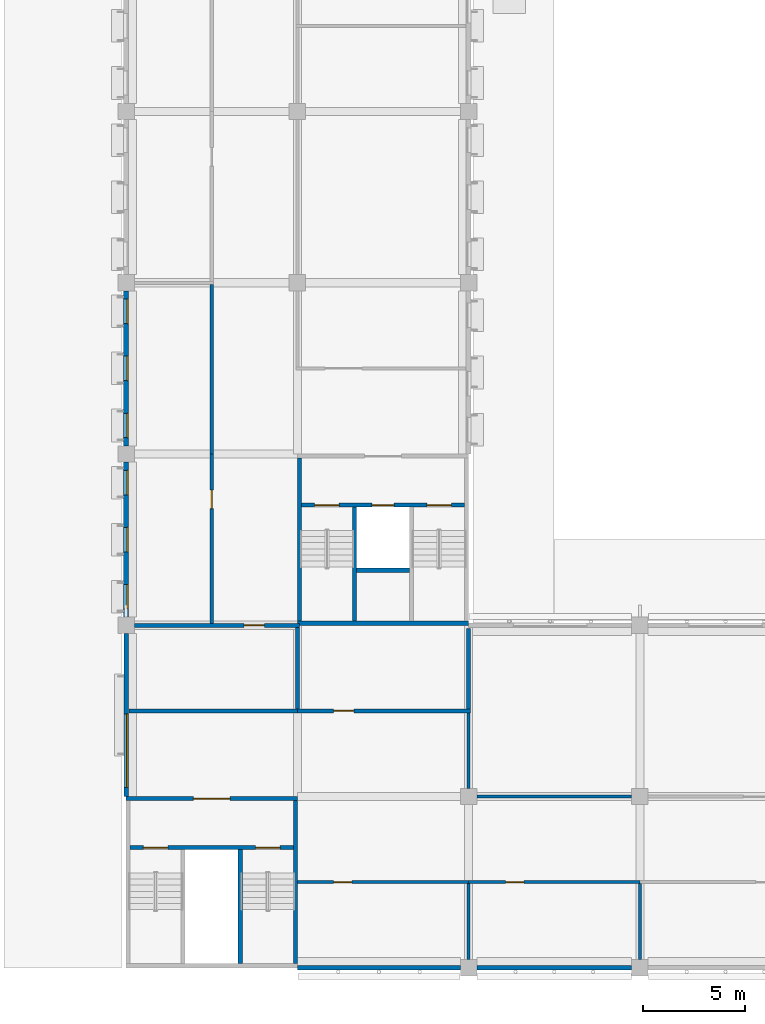
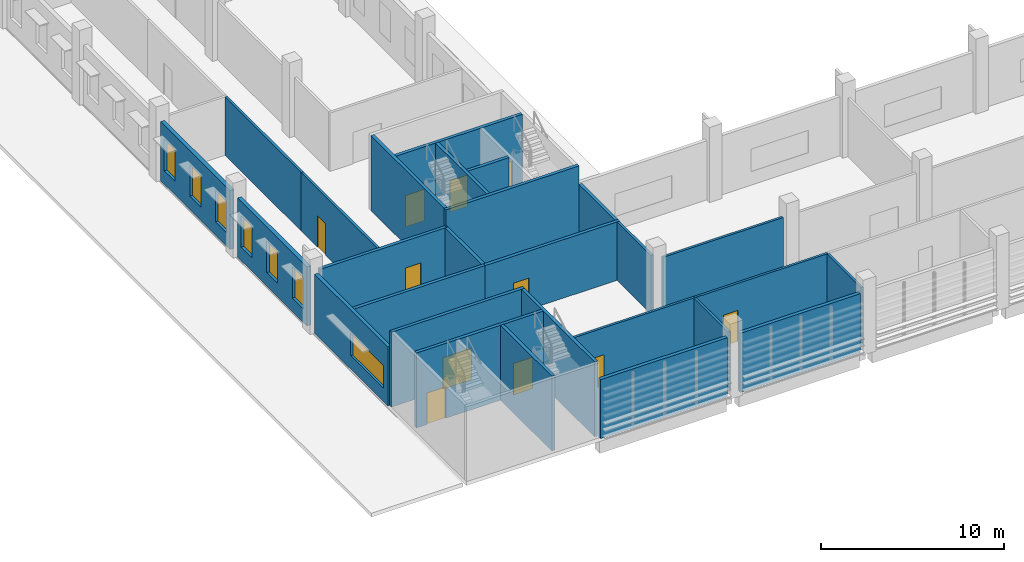
# One storey, part 28 of 101: 27 walls, 11 doors, 7 windows, 18 openings.
"""IFC4 building model written with IfcOpenShell, lengths in metres."""

from ifc_helpers import new_model, si_unit, direction, frame, frame_2d, origin, place, context, subcontext, project, spatial, rectangle, extrude, material, layer, layer_set, type_object, element, fill, save


model = new_model("IFC4")

# Units and contexts
model_context = context("Model", 3, precision=1e-05, world=origin(), true_north=direction((0.0, 1.0)))
body_context = subcontext(model_context, "Body", "Model", "MODEL_VIEW")
ifc_project = project(units=[si_unit("LENGTHUNIT", "METRE"), si_unit("AREAUNIT", "SQUARE_METRE"), si_unit("VOLUMEUNIT", "CUBIC_METRE"), si_unit("PLANEANGLEUNIT", "RADIAN"), si_unit("MASSUNIT", "GRAM", prefix="KILO")], contexts=[model_context])

# Site, building, storey
site_placement = place(None, origin())
site = spatial("IfcSite", under=ifc_project, at=site_placement, CompositionType="ELEMENT")
building_placement = place(site_placement, origin())
building = spatial("IfcBuilding", under=site, at=building_placement, Name="Almond Square Museum", CompositionType="ELEMENT")
storey_placement = place(building_placement, frame((0.0, 0.0, 5.5)))
storey = spatial("IfcBuildingStorey", under=building, at=storey_placement, Name="L01", CompositionType="ELEMENT", Elevation=5.5)

# Wall, opening, door
ifc_material_1 = material(Name="Concrete blockwork 200", Category="masonry")
ifc_layer_1 = layer(ifc_material_1, 0.199951171875)
ifc_layer_set_1 = layer_set([ifc_layer_1], Name="Concrete blockwork 200")
wall_type_1 = type_object("IfcWallType", Name="Fire partition 200 blockwork", PredefinedType="PARTITIONING", material=ifc_layer_set_1)
wall_1_placement = place(storey_placement, frame((6.39990234375, 16.800048828125, 0.0), z_axis=(0.0, 0.0, 1.0), x_axis=(1.0, 0.0, 0.0)))
wall_1 = element("IfcWall", 1, at=wall_1_placement, inside=storey, type_object=wall_type_1, Name="L01 partition 65", PredefinedType="PARTITIONING", context=body_context, shape_type="SweptSolid", body=[
    extrude(rectangle(XDim=8.10009765625, YDim=0.199951171875, at=frame_2d((4.050048828125, 0.0))), origin(), (0.0, 0.0, 1.0), 3.89990234375),
])
opening_1_placement = place(wall_1_placement, frame((5.387451171875, 0.0, 0.0)))
opening_1 = element("IfcOpeningElement", 2, at=opening_1_placement, cuts=wall_1, Name="Opening D1124", PredefinedType="OPENING", context=body_context, shape_type="SweptSolid", body=[
    extrude(rectangle(XDim=1.0, YDim=2.10009765625, at=frame_2d((0.5, 1.050048828125))), frame((0.0, 0.10986328125, 0.0), z_axis=(0.0, -1.0, 0.0), x_axis=(1.0, 0.0, 0.0)), (0.0, 0.0, 1.0), 0.219970703125),
])
ifc_material_2 = material(Name="Steel", Category="steel")
door_type_1 = type_object("IfcDoorType", Name="Fire door 1000 x 2100 FD60 single", OperationType="NOTDEFINED", PredefinedType="DOOR", material=ifc_material_2)
door_1_placement = place(opening_1_placement, origin())
door_1 = element("IfcDoor", 3, at=door_1_placement, inside=storey, type_object=door_type_1, Name="L01 door Cleaners' Store 3 to Wing Corridor 3", OperationType="SINGLE_SWING_LEFT", OverallHeight=2.10009765625, OverallWidth=1.0, PredefinedType="DOOR", context=body_context, shape_type="SweptSolid", body=[
    extrude(rectangle(XDim=1.0, YDim=2.10009765625, at=frame_2d((0.5, 1.050048828125))), frame((0.0, 0.02490234375, 0.0), z_axis=(0.0, -1.0, 0.0), x_axis=(1.0, 0.0, 0.0)), (0.0, 0.0, 1.0), 0.050048828125),
])
fill(opening_1, door_1)

# Walls
wall_2_placement = place(storey_placement, frame((14.39990234375, 12.699951171875, 0.0), z_axis=(0.0, 0.0, 1.0), x_axis=(0.0, 1.0, 0.0)))
element("IfcWall", 4, at=wall_2_placement, inside=storey, type_object=wall_type_1, Name="L01 partition 71", PredefinedType="PARTITIONING", context=body_context, shape_type="SweptSolid", body=[
    extrude(rectangle(XDim=4.0, YDim=0.199951171875, at=frame_2d((2.0, 0.0))), origin(), (0.0, 0.0, 1.0), 3.89990234375),
])
wall_3_placement = place(storey_placement, frame((22.800048828125, 12.699951171875, 0.0), z_axis=(0.0, 0.0, 1.0), x_axis=(0.0, 1.0, 0.0)))
element("IfcWall", 5, at=wall_3_placement, inside=storey, type_object=wall_type_1, Name="L01 partition 72", PredefinedType="PARTITIONING", context=body_context, shape_type="SweptSolid", body=[
    extrude(rectangle(XDim=3.949951171875, YDim=0.199951171875, at=frame_2d((1.97509765625, 0.0))), origin(), (0.0, 0.0, 1.0), 3.89990234375),
])
wall_4_placement = place(storey_placement, frame((6.14990234375, 12.60009765625, 0.0), z_axis=(0.0, 0.0, 1.0), x_axis=(1.0, 0.0, 0.0)))
element("IfcWall", 6, at=wall_4_placement, inside=storey, type_object=wall_type_1, Name="L01 partition 78", PredefinedType="PARTITIONING", context=body_context, shape_type="SweptSolid", body=[
    extrude(rectangle(XDim=8.25, YDim=0.199951171875, at=frame_2d((4.125, 0.0))), origin(), (0.0, 0.0, 1.0), 3.89990234375),
])

# Wall, opening, door
wall_5_placement = place(storey_placement, frame((14.39990234375, 12.60009765625, 0.0), z_axis=(0.0, 0.0, 1.0), x_axis=(1.0, 0.0, 0.0)))
wall_5 = element("IfcWall", 7, at=wall_5_placement, inside=storey, type_object=wall_type_1, Name="L01 partition 79", PredefinedType="PARTITIONING", context=body_context, shape_type="SweptSolid", body=[
    extrude(rectangle(XDim=8.5, YDim=0.199951171875, at=frame_2d((4.25, 0.0))), origin(), (0.0, 0.0, 1.0), 3.89990234375),
])
opening_2_placement = place(wall_5_placement, frame((1.77490234375, 0.0, 0.0)))
opening_2 = element("IfcOpeningElement", 8, at=opening_2_placement, cuts=wall_5, Name="Opening D1122", PredefinedType="OPENING", context=body_context, shape_type="SweptSolid", body=[
    extrude(rectangle(XDim=1.0, YDim=2.10009765625, at=frame_2d((0.5, 1.050048828125))), frame((0.0, 0.10986328125, 0.0), z_axis=(0.0, -1.0, 0.0), x_axis=(1.0, 0.0, 0.0)), (0.0, 0.0, 1.0), 0.219970703125),
])
door_2_placement = place(opening_2_placement, origin())
door_2 = element("IfcDoor", 9, at=door_2_placement, inside=storey, type_object=door_type_1, Name="L01 door Chemical Store to Service Corridor 2", OperationType="SINGLE_SWING_LEFT", OverallHeight=2.10009765625, OverallWidth=1.0, PredefinedType="DOOR", context=body_context, shape_type="SweptSolid", body=[
    extrude(rectangle(XDim=1.0, YDim=2.10009765625, at=frame_2d((0.5, 1.050048828125))), frame((0.0, 0.02490234375, 0.0), z_axis=(0.0, -1.0, 0.0), x_axis=(1.0, 0.0, 0.0)), (0.0, 0.0, 1.0), 0.050048828125),
])
fill(opening_2, door_2)

ifc_material_3 = material(Name="Plasterboard on steel stud", Category="steel")
ifc_layer_2 = layer(ifc_material_3, 0.14990234375)
ifc_layer_set_2 = layer_set([ifc_layer_2], Name="Plasterboard on steel stud")
wall_type_2 = type_object("IfcWallType", Name="Partition 150 plasterboard on steel stud", PredefinedType="PARTITIONING", material=ifc_layer_set_2)
wall_6_placement = place(storey_placement, frame((10.199951171875, 16.89990234375, 0.0), z_axis=(0.0, 0.0, 1.0), x_axis=(0.0, 1.0, 0.0)))
wall_6 = element("IfcWall", 10, at=wall_6_placement, inside=storey, type_object=wall_type_2, Name="L01 partition 60", PredefinedType="PARTITIONING", context=body_context, shape_type="SweptSolid", body=[
    extrude(rectangle(XDim=8.300048828125, YDim=0.14990234375, at=frame_2d((4.14990234375, 0.0))), origin(), (0.0, 0.0, 1.0), 3.89990234375),
])
opening_3_placement = place(wall_6_placement, frame((5.625, 0.0, 0.0)))
opening_3 = element("IfcOpeningElement", 11, at=opening_3_placement, cuts=wall_6, Name="Opening D1120", PredefinedType="OPENING", context=body_context, shape_type="SweptSolid", body=[
    extrude(rectangle(XDim=0.89990234375, YDim=2.10009765625, at=frame_2d((0.449951171875, 1.050048828125))), frame((0.0, 0.0849609375, 0.0), z_axis=(0.0, -1.0, 0.0), x_axis=(1.0, 0.0, 0.0)), (0.0, 0.0, 1.0), 0.169921875),
])
ifc_material_4 = material(Name="Timber", Category="wood")
door_type_2 = type_object("IfcDoorType", Name="Door 900 x 2100 timber single", OperationType="NOTDEFINED", PredefinedType="DOOR", material=ifc_material_4)
door_3_placement = place(opening_3_placement, origin())
door_3 = element("IfcDoor", 12, at=door_3_placement, inside=storey, type_object=door_type_2, Name="L01 door Staff Office 1 to Wing Corridor 3", OperationType="SINGLE_SWING_LEFT", OverallHeight=2.10009765625, OverallWidth=0.89990234375, PredefinedType="DOOR", context=body_context, shape_type="SweptSolid", body=[
    extrude(rectangle(XDim=0.89990234375, YDim=2.10009765625, at=frame_2d((0.449951171875, 1.050048828125))), frame((0.0, 0.02490234375, 0.0), z_axis=(0.0, -1.0, 0.0), x_axis=(1.0, 0.0, 0.0)), (0.0, 0.0, 1.0), 0.050048828125),
])
fill(opening_3, door_3)

# Walls
wall_7_placement = place(storey_placement, frame((10.199951171875, 25.199951171875, 0.0), z_axis=(0.0, 0.0, 1.0), x_axis=(0.0, 1.0, 0.0)))
element("IfcWall", 13, at=wall_7_placement, inside=storey, type_object=wall_type_2, Name="L01 partition 61", PredefinedType="PARTITIONING", context=body_context, shape_type="SweptSolid", body=[
    extrude(rectangle(XDim=8.324951171875, YDim=0.14990234375, at=frame_2d((4.16259765625, 0.0))), origin(), (0.0, 0.0, 1.0), 3.89990234375),
])
wall_8_placement = place(storey_placement, frame((23.199951171875, 8.39990234375, 0.0), z_axis=(0.0, 0.0, 1.0), x_axis=(1.0, 0.0, 0.0)))
element("IfcWall", 14, at=wall_8_placement, inside=storey, type_object=wall_type_2, Name="L01 partition 81", PredefinedType="PARTITIONING", context=body_context, shape_type="SweptSolid", body=[
    extrude(rectangle(XDim=7.60009765625, YDim=0.14990234375, at=frame_2d((3.800048828125, 0.0))), origin(), (0.0, 0.0, 1.0), 3.89990234375),
])
wall_9_placement = place(storey_placement, frame((22.800048828125, 8.800048828125, 0.0), z_axis=(0.0, 0.0, 1.0), x_axis=(0.0, 1.0, 0.0)))
element("IfcWall", 15, at=wall_9_placement, inside=storey, type_object=wall_type_2, Name="L01 partition 85", PredefinedType="PARTITIONING", context=body_context, shape_type="SweptSolid", body=[
    extrude(rectangle(XDim=3.699951171875, YDim=0.14990234375, at=frame_2d((1.85009765625, 0.0))), origin(), (0.0, 0.0, 1.0), 3.89990234375),
])

# Wall, opening, door
wall_10_placement = place(storey_placement, frame((14.39990234375, 4.199951171875, 0.0), z_axis=(0.0, 0.0, 1.0), x_axis=(1.0, 0.0, 0.0)))
wall_10 = element("IfcWall", 16, at=wall_10_placement, inside=storey, type_object=wall_type_2, Name="L01 partition 101", PredefinedType="PARTITIONING", context=body_context, shape_type="SweptSolid", body=[
    extrude(rectangle(XDim=8.400146484375, YDim=0.14990234375, at=frame_2d((4.2001953125, 0.0))), origin(), (0.0, 0.0, 1.0), 3.89990234375),
])
opening_4_placement = place(wall_10_placement, frame((1.77490234375, 0.0, 0.0)))
opening_4 = element("IfcOpeningElement", 17, at=opening_4_placement, cuts=wall_10, Name="Opening D1131", PredefinedType="OPENING", context=body_context, shape_type="SweptSolid", body=[
    extrude(rectangle(XDim=0.89990234375, YDim=2.10009765625, at=frame_2d((0.449951171875, 1.050048828125))), frame((0.0, 0.0849609375, 0.0), z_axis=(0.0, -1.0, 0.0), x_axis=(1.0, 0.0, 0.0)), (0.0, 0.0, 1.0), 0.169921875),
])
door_4_placement = place(opening_4_placement, origin())
door_4 = element("IfcDoor", 18, at=door_4_placement, inside=storey, type_object=door_type_2, Name="L01 door Staff Office 3 to Service Corridor 2", OperationType="SINGLE_SWING_LEFT", OverallHeight=2.10009765625, OverallWidth=0.89990234375, PredefinedType="DOOR", context=body_context, shape_type="SweptSolid", body=[
    extrude(rectangle(XDim=0.89990234375, YDim=2.10009765625, at=frame_2d((0.449951171875, 1.050048828125))), frame((0.0, 0.02490234375, 0.0), z_axis=(0.0, -1.0, 0.0), x_axis=(1.0, 0.0, 0.0)), (0.0, 0.0, 1.0), 0.050048828125),
])
fill(opening_4, door_4)

wall_11_placement = place(storey_placement, frame((22.800048828125, 4.199951171875, 0.0), z_axis=(0.0, 0.0, 1.0), x_axis=(1.0, 0.0, 0.0)))
wall_11 = element("IfcWall", 19, at=wall_11_placement, inside=storey, type_object=wall_type_2, Name="L01 partition 102", PredefinedType="PARTITIONING", context=body_context, shape_type="SweptSolid", body=[
    extrude(rectangle(XDim=8.39990234375, YDim=0.14990234375, at=frame_2d((4.199951171875, 0.0))), origin(), (0.0, 0.0, 1.0), 3.89990234375),
])
opening_5_placement = place(wall_11_placement, frame((1.8125, 0.0, 0.0)))
opening_5 = element("IfcOpeningElement", 20, at=opening_5_placement, cuts=wall_11, Name="Opening D1132", PredefinedType="OPENING", context=body_context, shape_type="SweptSolid", body=[
    extrude(rectangle(XDim=0.89990234375, YDim=2.10009765625, at=frame_2d((0.449951171875, 1.050048828125))), frame((0.0, 0.0849609375, 0.0), z_axis=(0.0, -1.0, 0.0), x_axis=(1.0, 0.0, 0.0)), (0.0, 0.0, 1.0), 0.169921875),
])
door_5_placement = place(opening_5_placement, origin())
door_5 = element("IfcDoor", 21, at=door_5_placement, inside=storey, type_object=door_type_2, Name="L01 door Staff Office 4 to Service Corridor 2", OperationType="SINGLE_SWING_LEFT", OverallHeight=2.10009765625, OverallWidth=0.89990234375, PredefinedType="DOOR", context=body_context, shape_type="SweptSolid", body=[
    extrude(rectangle(XDim=0.89990234375, YDim=2.10009765625, at=frame_2d((0.449951171875, 1.050048828125))), frame((0.0, 0.02490234375, 0.0), z_axis=(0.0, -1.0, 0.0), x_axis=(1.0, 0.0, 0.0)), (0.0, 0.0, 1.0), 0.050048828125),
])
fill(opening_5, door_5)

# Walls
for number, where, z_axis, x_axis, name in (
    (22, (31.199951171875, 0.39990234375, 0.0), (0.0, 0.0, 1.0), (0.0, 1.0, 0.0), "L01 partition 110"),
    (23, (22.800048828125, 0.39990234375, 0.0), (0.0, 0.0, 1.0), (0.0, 1.0, 0.0), "L01 partition 114"),
):
    element("IfcWall", number, at=place(storey_placement, frame(where, z_axis=z_axis, x_axis=x_axis)), inside=storey, type_object=wall_type_2, Name=name, PredefinedType="PARTITIONING", context=body_context, shape_type="SweptSolid", body=[
        extrude(rectangle(XDim=3.72509765625, YDim=0.14990234375, at=frame_2d((1.862548828125, 0.0))), origin(), (0.0, 0.0, 1.0), 3.89990234375),
    ])

# Wall, openings, windows
ifc_material_5 = material(Name="Precast concrete C40/50", Category="concrete")
ifc_layer_3 = layer(ifc_material_5, 0.25)
ifc_layer_set_3 = layer_set([ifc_layer_3], Name="Precast concrete C40/50")
wall_type_3 = type_object("IfcWallType", Name="Precast concrete panel wall 250 with coral limestone piers", PredefinedType="SOLIDWALL", material=ifc_layer_set_3)
wall_12_placement = place(storey_placement, frame((6.0, 25.60009765625, 0.0), z_axis=(0.0, 0.0, 1.0), x_axis=(0.0, 1.0, 0.0)))
wall_12 = element("IfcWall", 24, at=wall_12_placement, inside=storey, type_object=wall_type_3, Name="External wall W2 V4W L01 W06", PredefinedType="SOLIDWALL", context=body_context, shape_type="SweptSolid", body=[
    extrude(rectangle(XDim=7.599853515625, YDim=0.25, at=frame_2d((3.7998046875, 0.0))), origin(), (0.0, 0.0, 1.0), 3.93994140625),
])
opening_6_placement = place(wall_12_placement, frame((0.39990234375, 0.0, 0.89990234375)))
opening_6 = element("IfcOpeningElement", 25, at=opening_6_placement, cuts=wall_12, Name="Opening W1053", PredefinedType="OPENING", context=body_context, shape_type="SweptSolid", body=[
    extrude(rectangle(XDim=1.199951171875, YDim=2.10009765625, at=frame_2d((0.60009765625, 1.050048828125))), frame((0.0, 0.135009765625, 0.0), z_axis=(0.0, -1.0, 0.0), x_axis=(1.0, 0.0, 0.0)), (0.0, 0.0, 1.0), 0.27001953125),
])
opening_7_placement = place(wall_12_placement, frame((3.199951171875, 0.0, 0.89990234375)))
opening_7 = element("IfcOpeningElement", 26, at=opening_7_placement, cuts=wall_12, Name="Opening W1054", PredefinedType="OPENING", context=body_context, shape_type="SweptSolid", body=[
    extrude(rectangle(XDim=1.199951171875, YDim=2.10009765625, at=frame_2d((0.60009765625, 1.050048828125))), frame((0.0, 0.135009765625, 0.0), z_axis=(0.0, -1.0, 0.0), x_axis=(1.0, 0.0, 0.0)), (0.0, 0.0, 1.0), 0.27001953125),
])
opening_8_placement = place(wall_12_placement, frame((6.0, 0.0, 0.89990234375)))
opening_8 = element("IfcOpeningElement", 27, at=opening_8_placement, cuts=wall_12, Name="Opening W1055", PredefinedType="OPENING", context=body_context, shape_type="SweptSolid", body=[
    extrude(rectangle(XDim=1.199951171875, YDim=2.10009765625, at=frame_2d((0.60009765625, 1.050048828125))), frame((0.0, 0.135009765625, 0.0), z_axis=(0.0, -1.0, 0.0), x_axis=(1.0, 0.0, 0.0)), (0.0, 0.0, 1.0), 0.27001953125),
])
ifc_material_6 = material(Name="Anodised aluminium louvre and laminated glass", Category="aluminium")
window_type_1 = type_object("IfcWindowType", Name="Louvred pier window", PartitioningType="SINGLE_PANEL", PredefinedType="WINDOW", material=ifc_material_6)
window_1_placement = place(opening_6_placement, origin())
window_1 = element("IfcWindow", 28, at=window_1_placement, inside=storey, type_object=window_type_1, Name="Louvred pier window W1053", OverallHeight=2.10009765625, OverallWidth=1.199951171875, PartitioningType="SINGLE_PANEL", PredefinedType="WINDOW", context=body_context, shape_type="SweptSolid", body=[
    extrude(rectangle(XDim=1.199951171875, YDim=2.10009765625, at=frame_2d((0.60009765625, 1.050048828125))), frame((0.0, -0.044921875, 0.0), z_axis=(0.0, -1.0, 0.0), x_axis=(1.0, 0.0, 0.0)), (0.0, 0.0, 1.0), 0.06005859375),
])
fill(opening_6, window_1)
window_2_placement = place(opening_7_placement, origin())
window_2 = element("IfcWindow", 29, at=window_2_placement, inside=storey, type_object=window_type_1, Name="Louvred pier window W1054", OverallHeight=2.10009765625, OverallWidth=1.199951171875, PartitioningType="SINGLE_PANEL", PredefinedType="WINDOW", context=body_context, shape_type="SweptSolid", body=[
    extrude(rectangle(XDim=1.199951171875, YDim=2.10009765625, at=frame_2d((0.60009765625, 1.050048828125))), frame((0.0, -0.044921875, 0.0), z_axis=(0.0, -1.0, 0.0), x_axis=(1.0, 0.0, 0.0)), (0.0, 0.0, 1.0), 0.06005859375),
])
fill(opening_7, window_2)
window_3_placement = place(opening_8_placement, origin())
window_3 = element("IfcWindow", 30, at=window_3_placement, inside=storey, type_object=window_type_1, Name="Louvred pier window W1055", OverallHeight=2.10009765625, OverallWidth=1.199951171875, PartitioningType="SINGLE_PANEL", PredefinedType="WINDOW", context=body_context, shape_type="SweptSolid", body=[
    extrude(rectangle(XDim=1.199951171875, YDim=2.10009765625, at=frame_2d((0.60009765625, 1.050048828125))), frame((0.0, -0.044921875, 0.0), z_axis=(0.0, -1.0, 0.0), x_axis=(1.0, 0.0, 0.0)), (0.0, 0.0, 1.0), 0.06005859375),
])
fill(opening_8, window_3)

wall_13_placement = place(storey_placement, frame((6.0, 17.199951171875, 0.0), z_axis=(0.0, 0.0, 1.0), x_axis=(0.0, 1.0, 0.0)))
wall_13 = element("IfcWall", 31, at=wall_13_placement, inside=storey, type_object=wall_type_3, Name="External wall W2 V4W L01 W07", PredefinedType="SOLIDWALL", context=body_context, shape_type="SweptSolid", body=[
    extrude(rectangle(XDim=7.60009765625, YDim=0.25, at=frame_2d((3.800048828125, 0.0))), origin(), (0.0, 0.0, 1.0), 3.93994140625),
])
opening_9_placement = place(wall_13_placement, frame((0.39990234375, 0.0, 0.89990234375)))
opening_9 = element("IfcOpeningElement", 32, at=opening_9_placement, cuts=wall_13, Name="Opening W1056", PredefinedType="OPENING", context=body_context, shape_type="SweptSolid", body=[
    extrude(rectangle(XDim=1.199951171875, YDim=2.10009765625, at=frame_2d((0.60009765625, 1.050048828125))), frame((0.0, 0.135009765625, 0.0), z_axis=(0.0, -1.0, 0.0), x_axis=(1.0, 0.0, 0.0)), (0.0, 0.0, 1.0), 0.27001953125),
])
opening_10_placement = place(wall_13_placement, frame((3.199951171875, 0.0, 0.89990234375)))
opening_10 = element("IfcOpeningElement", 33, at=opening_10_placement, cuts=wall_13, Name="Opening W1057", PredefinedType="OPENING", context=body_context, shape_type="SweptSolid", body=[
    extrude(rectangle(XDim=1.199951171875, YDim=2.10009765625, at=frame_2d((0.60009765625, 1.050048828125))), frame((0.0, 0.135009765625, 0.0), z_axis=(0.0, -1.0, 0.0), x_axis=(1.0, 0.0, 0.0)), (0.0, 0.0, 1.0), 0.27001953125),
])
opening_11_placement = place(wall_13_placement, frame((6.0, 0.0, 0.89990234375)))
opening_11 = element("IfcOpeningElement", 34, at=opening_11_placement, cuts=wall_13, Name="Opening W1058", PredefinedType="OPENING", context=body_context, shape_type="SweptSolid", body=[
    extrude(rectangle(XDim=1.199951171875, YDim=2.10009765625, at=frame_2d((0.60009765625, 1.050048828125))), frame((0.0, 0.135009765625, 0.0), z_axis=(0.0, -1.0, 0.0), x_axis=(1.0, 0.0, 0.0)), (0.0, 0.0, 1.0), 0.27001953125),
])
window_4_placement = place(opening_9_placement, origin())
window_4 = element("IfcWindow", 35, at=window_4_placement, inside=storey, type_object=window_type_1, Name="Louvred pier window W1056", OverallHeight=2.10009765625, OverallWidth=1.199951171875, PartitioningType="SINGLE_PANEL", PredefinedType="WINDOW", context=body_context, shape_type="SweptSolid", body=[
    extrude(rectangle(XDim=1.199951171875, YDim=2.10009765625, at=frame_2d((0.60009765625, 1.050048828125))), frame((0.0, -0.044921875, 0.0), z_axis=(0.0, -1.0, 0.0), x_axis=(1.0, 0.0, 0.0)), (0.0, 0.0, 1.0), 0.06005859375),
])
fill(opening_9, window_4)
window_5_placement = place(opening_10_placement, origin())
window_5 = element("IfcWindow", 36, at=window_5_placement, inside=storey, type_object=window_type_1, Name="Louvred pier window W1057", OverallHeight=2.10009765625, OverallWidth=1.199951171875, PartitioningType="SINGLE_PANEL", PredefinedType="WINDOW", context=body_context, shape_type="SweptSolid", body=[
    extrude(rectangle(XDim=1.199951171875, YDim=2.10009765625, at=frame_2d((0.60009765625, 1.050048828125))), frame((0.0, -0.044921875, 0.0), z_axis=(0.0, -1.0, 0.0), x_axis=(1.0, 0.0, 0.0)), (0.0, 0.0, 1.0), 0.06005859375),
])
fill(opening_10, window_5)
window_6_placement = place(opening_11_placement, origin())
window_6 = element("IfcWindow", 37, at=window_6_placement, inside=storey, type_object=window_type_1, Name="Louvred pier window W1058", OverallHeight=2.10009765625, OverallWidth=1.199951171875, PartitioningType="SINGLE_PANEL", PredefinedType="WINDOW", context=body_context, shape_type="SweptSolid", body=[
    extrude(rectangle(XDim=1.199951171875, YDim=2.10009765625, at=frame_2d((0.60009765625, 1.050048828125))), frame((0.0, -0.044921875, 0.0), z_axis=(0.0, -1.0, 0.0), x_axis=(1.0, 0.0, 0.0)), (0.0, 0.0, 1.0), 0.06005859375),
])
fill(opening_11, window_6)

# Walls
ifc_material_7 = material(Name="Concrete C40/50", Category="concrete")
ifc_layer_4 = layer(ifc_material_7, 0.199951171875)
ifc_layer_set_4 = layer_set([ifc_layer_4], Name="Concrete C40/50")
wall_type_4 = type_object("IfcWallType", Name="RC shear wall 200 C40/50", PredefinedType="SHEAR", material=ifc_layer_set_4)
wall_14_placement = place(storey_placement, frame((14.39990234375, 16.89990234375, 0.0), z_axis=(0.0, 0.0, 1.0), x_axis=(1.0, 0.0, 0.0)))
element("IfcWall", 38, at=wall_14_placement, inside=storey, type_object=wall_type_4, Name="Core W1 south wall L01", PredefinedType="SHEAR", context=body_context, shape_type="SweptSolid", body=[
    extrude(rectangle(XDim=8.400146484375, YDim=0.199951171875, at=frame_2d((4.2001953125, 0.0))), origin(), (0.0, 0.0, 1.0), 5.0),
])
wall_15_placement = place(storey_placement, frame((14.5, 17.0, 0.0), z_axis=(0.0, 0.0, 1.0), x_axis=(0.0, 1.0, 0.0)))
element("IfcWall", 39, at=wall_15_placement, inside=storey, type_object=wall_type_4, Name="Core W1 west wall L01", PredefinedType="SHEAR", context=body_context, shape_type="SweptSolid", body=[
    extrude(rectangle(XDim=8.0, YDim=0.199951171875, at=frame_2d((4.0, 0.0))), origin(), (0.0, 0.0, 1.0), 5.0),
])

# Wall, openings, doors
wall_16_placement = place(storey_placement, frame((14.60009765625, 22.699951171875, 0.0), z_axis=(0.0, 0.0, 1.0), x_axis=(1.0, 0.0, 0.0)))
wall_16 = element("IfcWall", 40, at=wall_16_placement, inside=storey, type_object=wall_type_4, Name="Core W1 lobby wall L01", PredefinedType="SHEAR", context=body_context, shape_type="SweptSolid", body=[
    extrude(rectangle(XDim=8.0, YDim=0.199951171875, at=frame_2d((4.0, 0.0))), origin(), (0.0, 0.0, 1.0), 5.0),
])
opening_12_placement = place(wall_16_placement, frame((0.64990234375, 0.0, 0.0)))
opening_12 = element("IfcOpeningElement", 41, at=opening_12_placement, cuts=wall_16, Name="Opening D1187", PredefinedType="OPENING", context=body_context, shape_type="SweptSolid", body=[
    extrude(rectangle(XDim=1.199951171875, YDim=2.10009765625, at=frame_2d((0.60009765625, 1.050048828125))), frame((0.0, 0.10986328125, 0.0), z_axis=(0.0, -1.0, 0.0), x_axis=(1.0, 0.0, 0.0)), (0.0, 0.0, 1.0), 0.219970703125),
])
opening_13_placement = place(wall_16_placement, frame((6.14990234375, 0.0, 0.0)))
opening_13 = element("IfcOpeningElement", 42, at=opening_13_placement, cuts=wall_16, Name="Opening D1188", PredefinedType="OPENING", context=body_context, shape_type="SweptSolid", body=[
    extrude(rectangle(XDim=1.199951171875, YDim=2.10009765625, at=frame_2d((0.60009765625, 1.050048828125))), frame((0.0, 0.10986328125, 0.0), z_axis=(0.0, -1.0, 0.0), x_axis=(1.0, 0.0, 0.0)), (0.0, 0.0, 1.0), 0.219970703125),
])
opening_14_placement = place(wall_16_placement, frame((3.449951171875, 0.0, 0.0)))
opening_14 = element("IfcOpeningElement", 43, at=opening_14_placement, cuts=wall_16, Name="Opening D1189", PredefinedType="OPENING", context=body_context, shape_type="SweptSolid", body=[
    extrude(rectangle(XDim=1.10009765625, YDim=2.10009765625, at=frame_2d((0.550048828125, 1.050048828125))), frame((0.0, 0.10986328125, 0.0), z_axis=(0.0, -1.0, 0.0), x_axis=(1.0, 0.0, 0.0)), (0.0, 0.0, 1.0), 0.219970703125),
])
ifc_material_8 = material(Name="Steel", Category="steel")
door_type_3 = type_object("IfcDoorType", Name="Fire door 1200 x 2100 FD120 stair", OperationType="NOTDEFINED", PredefinedType="DOOR", material=ifc_material_8)
door_6_placement = place(opening_12_placement, origin())
door_6 = element("IfcDoor", 44, at=door_6_placement, inside=storey, type_object=door_type_3, Name="L01 stair W1-1 door", OperationType="SINGLE_SWING_LEFT", OverallHeight=2.10009765625, OverallWidth=1.199951171875, PredefinedType="DOOR", context=body_context, shape_type="SweptSolid", body=[
    extrude(rectangle(XDim=1.199951171875, YDim=2.10009765625, at=frame_2d((0.60009765625, 1.050048828125))), frame((0.0, 0.02490234375, 0.0), z_axis=(0.0, -1.0, 0.0), x_axis=(1.0, 0.0, 0.0)), (0.0, 0.0, 1.0), 0.050048828125),
])
fill(opening_12, door_6)
door_7_placement = place(opening_13_placement, origin())
door_7 = element("IfcDoor", 45, at=door_7_placement, inside=storey, type_object=door_type_3, Name="L01 stair W1-2 door", OperationType="SINGLE_SWING_RIGHT", OverallHeight=2.10009765625, OverallWidth=1.199951171875, PredefinedType="DOOR", context=body_context, shape_type="SweptSolid", body=[
    extrude(rectangle(XDim=1.199951171875, YDim=2.10009765625, at=frame_2d((0.60009765625, 1.050048828125))), frame((0.0, 0.02490234375, 0.0), z_axis=(0.0, -1.0, 0.0), x_axis=(1.0, 0.0, 0.0)), (0.0, 0.0, 1.0), 0.050048828125),
])
fill(opening_13, door_7)
ifc_material_9 = material(Name="Stainless steel", Category="steel")
door_type_4 = type_object("IfcDoorType", Name="Lift landing door 1100 x 2100", OperationType="NOTDEFINED", PredefinedType="DOOR", material=ifc_material_9)
door_8_placement = place(opening_14_placement, origin())
door_8 = element("IfcDoor", 46, at=door_8_placement, inside=storey, type_object=door_type_4, Name="L01 lift PL-W1 landing door", OperationType="DOUBLE_DOOR_SLIDING", OverallHeight=2.10009765625, OverallWidth=1.10009765625, PredefinedType="DOOR", context=body_context, shape_type="SweptSolid", body=[
    extrude(rectangle(XDim=1.10009765625, YDim=2.10009765625, at=frame_2d((0.550048828125, 1.050048828125))), frame((0.0, 0.02490234375, 0.0), z_axis=(0.0, -1.0, 0.0), x_axis=(1.0, 0.0, 0.0)), (0.0, 0.0, 1.0), 0.050048828125),
])
fill(opening_14, door_8)

# Walls
wall_17_placement = place(storey_placement, frame((17.199951171875, 17.0, 0.0), z_axis=(0.0, 0.0, 1.0), x_axis=(0.0, 1.0, 0.0)))
element("IfcWall", 47, at=wall_17_placement, inside=storey, type_object=wall_type_4, Name="Core W1 partition wall L01", PredefinedType="SHEAR", context=body_context, shape_type="SweptSolid", body=[
    extrude(rectangle(XDim=5.60009765625, YDim=0.199951171875, at=frame_2d((2.800048828125, 0.0))), origin(), (0.0, 0.0, 1.0), 5.0),
])
wall_18_placement = place(storey_placement, frame((17.300048828125, 19.5, 0.0), z_axis=(0.0, 0.0, 1.0), x_axis=(1.0, 0.0, 0.0)))
element("IfcWall", 48, at=wall_18_placement, inside=storey, type_object=wall_type_4, Name="Core W1 partition wall L01", PredefinedType="SHEAR", context=body_context, shape_type="SweptSolid", body=[
    extrude(rectangle(XDim=2.599853515625, YDim=0.199951171875, at=frame_2d((1.2998046875, 0.0))), origin(), (0.0, 0.0, 1.0), 5.0),
])

# Wall, opening, door
wall_19_placement = place(storey_placement, frame((6.0, 8.300048828125, 0.0), z_axis=(0.0, 0.0, 1.0), x_axis=(1.0, 0.0, 0.0)))
wall_19 = element("IfcWall", 49, at=wall_19_placement, inside=storey, type_object=wall_type_4, Name="Core S1 north wall L01", PredefinedType="SHEAR", context=body_context, shape_type="SweptSolid", body=[
    extrude(rectangle(XDim=8.39990234375, YDim=0.199951171875, at=frame_2d((4.199951171875, 0.0))), origin(), (0.0, 0.0, 1.0), 5.0),
])
opening_15_placement = place(wall_19_placement, frame((3.300048828125, 0.0, 0.0)))
opening_15 = element("IfcOpeningElement", 50, at=opening_15_placement, cuts=wall_19, Name="Opening D1197", PredefinedType="OPENING", context=body_context, shape_type="SweptSolid", body=[
    extrude(rectangle(XDim=1.800048828125, YDim=2.10009765625, at=frame_2d((0.89990234375, 1.050048828125))), frame((0.0, 0.10986328125, 0.0), z_axis=(0.0, -1.0, 0.0), x_axis=(1.0, 0.0, 0.0)), (0.0, 0.0, 1.0), 0.219970703125),
])
ifc_material_10 = material(Name="Steel", Category="steel")
door_type_5 = type_object("IfcDoorType", Name="Fire door 1800 x 2100 FD60 double", OperationType="NOTDEFINED", PredefinedType="DOOR", material=ifc_material_10)
door_9_placement = place(opening_15_placement, origin())
door_9 = element("IfcDoor", 51, at=door_9_placement, inside=storey, type_object=door_type_5, Name="L01 stair core S1 lobby door", OperationType="DOUBLE_DOOR_SINGLE_SWING", OverallHeight=2.10009765625, OverallWidth=1.800048828125, PredefinedType="DOOR", context=body_context, shape_type="SweptSolid", body=[
    extrude(rectangle(XDim=1.800048828125, YDim=2.10009765625, at=frame_2d((0.89990234375, 1.050048828125))), frame((0.0, 0.02490234375, 0.0), z_axis=(0.0, -1.0, 0.0), x_axis=(1.0, 0.0, 0.0)), (0.0, 0.0, 1.0), 0.050048828125),
])
fill(opening_15, door_9)

# Wall
wall_20_placement = place(storey_placement, frame((14.300048828125, 0.199951171875, 0.0), z_axis=(0.0, 0.0, 1.0), x_axis=(0.0, 1.0, 0.0)))
element("IfcWall", 52, at=wall_20_placement, inside=storey, type_object=wall_type_4, Name="Core S1 east wall L01", PredefinedType="SHEAR", context=body_context, shape_type="SweptSolid", body=[
    extrude(rectangle(XDim=8.0, YDim=0.199951171875, at=frame_2d((4.0, 0.0))), origin(), (0.0, 0.0, 1.0), 5.0),
])

# Wall, openings, doors
wall_21_placement = place(storey_placement, frame((6.199951171875, 5.89990234375, 0.0), z_axis=(0.0, 0.0, 1.0), x_axis=(1.0, 0.0, 0.0)))
wall_21 = element("IfcWall", 53, at=wall_21_placement, inside=storey, type_object=wall_type_4, Name="Core S1 lobby wall L01", PredefinedType="SHEAR", context=body_context, shape_type="SweptSolid", body=[
    extrude(rectangle(XDim=8.0, YDim=0.199951171875, at=frame_2d((4.0, 0.0))), origin(), (0.0, 0.0, 1.0), 5.0),
])
opening_16_placement = place(wall_21_placement, frame((0.64990234375, 0.0, 0.0)))
opening_16 = element("IfcOpeningElement", 54, at=opening_16_placement, cuts=wall_21, Name="Opening D1198", PredefinedType="OPENING", context=body_context, shape_type="SweptSolid", body=[
    extrude(rectangle(XDim=1.199951171875, YDim=2.10009765625, at=frame_2d((0.60009765625, 1.050048828125))), frame((0.0, 0.10986328125, 0.0), z_axis=(0.0, -1.0, 0.0), x_axis=(1.0, 0.0, 0.0)), (0.0, 0.0, 1.0), 0.219970703125),
])
opening_17_placement = place(wall_21_placement, frame((6.14990234375, 0.0, 0.0)))
opening_17 = element("IfcOpeningElement", 55, at=opening_17_placement, cuts=wall_21, Name="Opening D1199", PredefinedType="OPENING", context=body_context, shape_type="SweptSolid", body=[
    extrude(rectangle(XDim=1.199951171875, YDim=2.10009765625, at=frame_2d((0.60009765625, 1.050048828125))), frame((0.0, 0.10986328125, 0.0), z_axis=(0.0, -1.0, 0.0), x_axis=(1.0, 0.0, 0.0)), (0.0, 0.0, 1.0), 0.219970703125),
])
door_10_placement = place(opening_16_placement, origin())
door_10 = element("IfcDoor", 56, at=door_10_placement, inside=storey, type_object=door_type_3, Name="L01 stair S1-1 door", OperationType="SINGLE_SWING_LEFT", OverallHeight=2.10009765625, OverallWidth=1.199951171875, PredefinedType="DOOR", context=body_context, shape_type="SweptSolid", body=[
    extrude(rectangle(XDim=1.199951171875, YDim=2.10009765625, at=frame_2d((0.60009765625, 1.050048828125))), frame((0.0, 0.02490234375, 0.0), z_axis=(0.0, -1.0, 0.0), x_axis=(1.0, 0.0, 0.0)), (0.0, 0.0, 1.0), 0.050048828125),
])
fill(opening_16, door_10)
door_11_placement = place(opening_17_placement, origin())
door_11 = element("IfcDoor", 57, at=door_11_placement, inside=storey, type_object=door_type_3, Name="L01 stair S1-2 door", OperationType="SINGLE_SWING_RIGHT", OverallHeight=2.10009765625, OverallWidth=1.199951171875, PredefinedType="DOOR", context=body_context, shape_type="SweptSolid", body=[
    extrude(rectangle(XDim=1.199951171875, YDim=2.10009765625, at=frame_2d((0.60009765625, 1.050048828125))), frame((0.0, 0.02490234375, 0.0), z_axis=(0.0, -1.0, 0.0), x_axis=(1.0, 0.0, 0.0)), (0.0, 0.0, 1.0), 0.050048828125),
])
fill(opening_17, door_11)

# Walls
wall_22_placement = place(storey_placement, frame((11.60009765625, 0.199951171875, 0.0), z_axis=(0.0, 0.0, 1.0), x_axis=(0.0, 1.0, 0.0)))
element("IfcWall", 58, at=wall_22_placement, inside=storey, type_object=wall_type_4, Name="Core S1 partition wall L01", PredefinedType="SHEAR", context=body_context, shape_type="SweptSolid", body=[
    extrude(rectangle(XDim=5.60009765625, YDim=0.199951171875, at=frame_2d((2.800048828125, 0.0))), origin(), (0.0, 0.0, 1.0), 5.0),
])
ifc_material_11 = material(Name="Concrete C30/37", Category="concrete")
ifc_layer_5 = layer(ifc_material_11, 0.219970703125)
ifc_layer_set_5 = layer_set([ifc_layer_5], Name="Concrete C30/37")
wall_type_5 = type_object("IfcWallType", Name="Stucco panel wall 220 with insulation", PredefinedType="SOLIDWALL", material=ifc_layer_set_5)
wall_23_placement = place(storey_placement, frame((14.39990234375, 0.0, 0.0), z_axis=(0.0, 0.0, 1.0), x_axis=(1.0, 0.0, 0.0)))
element("IfcWall", 59, at=wall_23_placement, inside=storey, type_object=wall_type_5, Name="External wall W4 V5S L01 S01", PredefinedType="SOLIDWALL", context=body_context, shape_type="SweptSolid", body=[
    extrude(rectangle(XDim=8.0, YDim=0.219970703125, at=frame_2d((4.0, 0.0))), origin(), (0.0, 0.0, 1.0), 3.93994140625),
])
wall_24_placement = place(storey_placement, frame((23.199951171875, 0.0, 0.0), z_axis=(0.0, 0.0, 1.0), x_axis=(1.0, 0.0, 0.0)))
element("IfcWall", 60, at=wall_24_placement, inside=storey, type_object=wall_type_5, Name="External wall W4 V5S L01 S02", PredefinedType="SOLIDWALL", context=body_context, shape_type="SweptSolid", body=[
    extrude(rectangle(XDim=7.60009765625, YDim=0.219970703125, at=frame_2d((3.800048828125, 0.0))), origin(), (0.0, 0.0, 1.0), 3.93994140625),
])

# Wall, opening, window
wall_25_placement = place(storey_placement, frame((6.0, 8.39990234375, 0.0), z_axis=(0.0, 0.0, 1.0), x_axis=(0.0, 1.0, 0.0)))
wall_25 = element("IfcWall", 61, at=wall_25_placement, inside=storey, type_object=wall_type_5, Name="External wall W4 V5S L01 W01", PredefinedType="SOLIDWALL", context=body_context, shape_type="SweptSolid", body=[
    extrude(rectangle(XDim=8.0, YDim=0.219970703125, at=frame_2d((4.0, 0.0))), origin(), (0.0, 0.0, 1.0), 3.93994140625),
])
opening_18_placement = place(wall_25_placement, frame((0.449951171875, 0.0, 0.89990234375)))
opening_18 = element("IfcOpeningElement", 62, at=opening_18_placement, cuts=wall_25, Name="Opening W1059", PredefinedType="OPENING", context=body_context, shape_type="SweptSolid", body=[
    extrude(rectangle(XDim=3.60009765625, YDim=1.5, at=frame_2d((1.800048828125, 0.75))), frame((0.0, 0.119873046875, 0.0), z_axis=(0.0, -1.0, 0.0), x_axis=(1.0, 0.0, 0.0)), (0.0, 0.0, 1.0), 0.239990234375),
])
ifc_material_12 = material(Name="Aluminium frame and laminated glass", Category="aluminium")
window_type_2 = type_object("IfcWindowType", Name="Office ribbon window", PartitioningType="SINGLE_PANEL", PredefinedType="WINDOW", material=ifc_material_12)
window_7_placement = place(opening_18_placement, origin())
window_7 = element("IfcWindow", 63, at=window_7_placement, inside=storey, type_object=window_type_2, Name="Office ribbon window W1059", OverallHeight=1.5, OverallWidth=3.60009765625, PartitioningType="DOUBLE_PANEL_VERTICAL", PredefinedType="WINDOW", context=body_context, shape_type="SweptSolid", body=[
    extrude(rectangle(XDim=3.60009765625, YDim=1.5, at=frame_2d((1.800048828125, 0.75))), frame((0.0, -0.030029296875, 0.0), z_axis=(0.0, -1.0, 0.0), x_axis=(1.0, 0.0, 0.0)), (0.0, 0.0, 1.0), 0.06005859375),
])
fill(opening_18, window_7)

save(model, "model.ifc")
